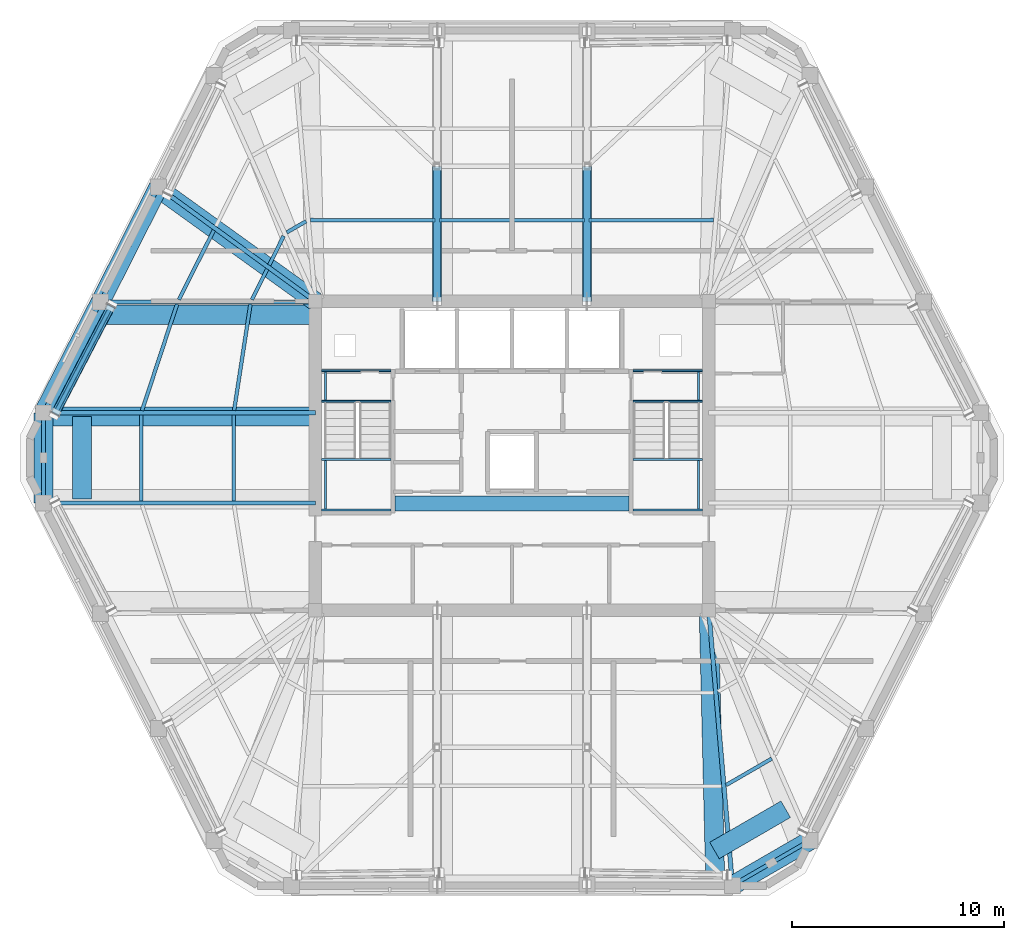
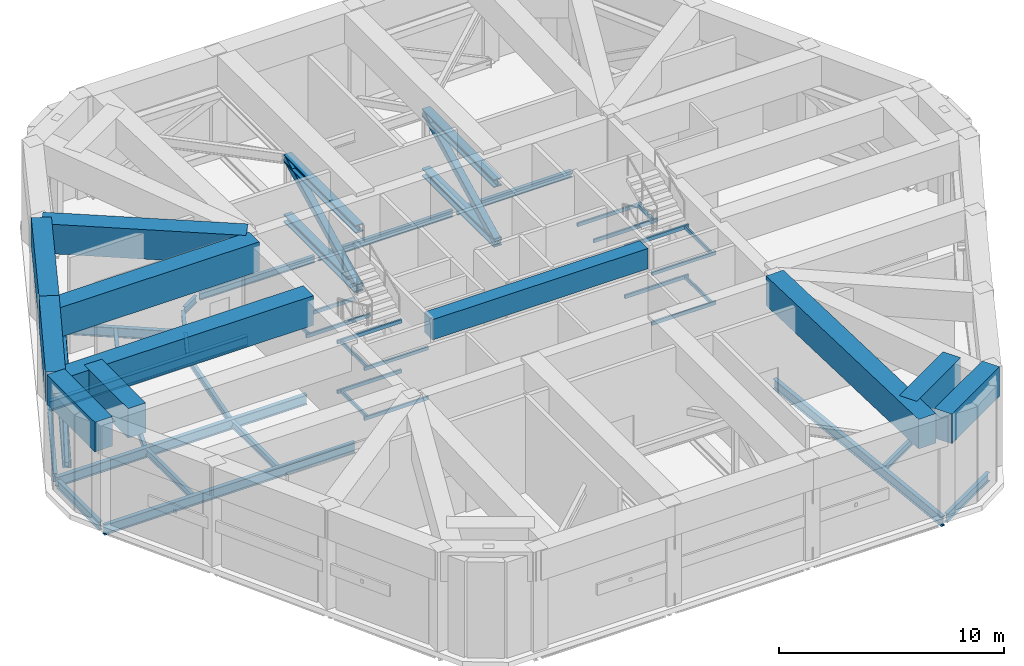
# One storey, part 3 of 15: 50 beams, 9 members.
"""IFC4 building model written with IfcOpenShell, lengths in metres."""

import ifcopenshell
import ifcopenshell.guid

model = None  # the IFC model being written
_history = None  # IfcOwnerHistory: only IFC2X3 demands one
_inside = {}  # id of a spatial element -> (the spatial element, [elements in it])
_under = {}  # id of a project, library or spatial element -> (it, [spatial elements below it])
_declared = {}  # id of a project -> (the project, [libraries it declares])
_typed = {}  # id of a type object -> (the type object, [elements of that type])
_made_of = {}  # id of a material, layer set ... -> (it, [elements and type objects made of it])


def new_model(schema):
    """Start an empty IFC model of exactly this schema.

    Asked for "IFC4X3", IfcOpenShell would pick the latest addendum, in which some entities
    have other attributes; the version numbers below select the first issue.
    IFC2X3 requires an IfcOwnerHistory on every rooted entity: one is made here for all.
    """
    global model, _history
    if schema == "IFC4X3":
        model = ifcopenshell.file(schema_version=(4, 3, 0, 0))
    else:
        model = ifcopenshell.file(schema=schema)
    _inside.clear()
    _under.clear()
    _declared.clear()
    _typed.clear()
    _made_of.clear()
    _history = None
    if model.schema == "IFC2X3":
        org = make("IfcOrganization", Name="unknown")
        user = make(
            "IfcPersonAndOrganization",
            ThePerson=make("IfcPerson", FamilyName="unknown"),
            TheOrganization=org,
        )
        app = make(
            "IfcApplication",
            ApplicationDeveloper=org,
            Version="unknown",
            ApplicationFullName="unknown",
            ApplicationIdentifier="unknown",
        )
        _history = make(
            "IfcOwnerHistory",
            OwningUser=user,
            OwningApplication=app,
            ChangeAction="ADDED",
            CreationDate=0,
        )
    return model


def make(cls, **values):
    """One entity of the class cls with the attributes given. An attribute that is None is left unset."""
    return model.create_entity(
        cls, **{name: value for name, value in values.items() if value is not None}
    )


def rooted(cls, **values):
    """An entity with a GlobalId (a new one), such as an element, a storey or a relation."""
    return make(cls, GlobalId=ifcopenshell.guid.new(), OwnerHistory=_history, **values)


def si_unit(unit_type, name, prefix=None):
    """IfcSIUnit, for example si_unit("LENGTHUNIT", "METRE", prefix="MILLI")."""
    return make("IfcSIUnit", UnitType=unit_type, Prefix=prefix, Name=name)


def assignment(units):
    """IfcUnitAssignment: the units of a project."""
    return None if units is None else make("IfcUnitAssignment", Units=units)


def point(xyz):
    """IfcCartesianPoint."""
    return None if xyz is None else make("IfcCartesianPoint", Coordinates=xyz)


def direction(xyz):
    """IfcDirection."""
    return None if xyz is None else make("IfcDirection", DirectionRatios=xyz)


def frame(location, z_axis=None, x_axis=None):
    """IfcAxis2Placement3D, a coordinate frame: its origin and axes. An axis left out is left unset."""
    return make(
        "IfcAxis2Placement3D",
        Location=point(location),
        Axis=direction(z_axis),
        RefDirection=direction(x_axis),
    )


def frame_2d(location, x_axis=None):
    """IfcAxis2Placement2D, a coordinate frame in the plane: its origin and x axis."""
    return make(
        "IfcAxis2Placement2D", Location=point(location), RefDirection=direction(x_axis)
    )


def origin():
    """The frame at (0, 0, 0) with its axes left unset."""
    return frame((0.0, 0.0, 0.0))


def origin_2d():
    """The frame at (0, 0) in the plane with its x axis left unset."""
    return frame_2d((0.0, 0.0))


def place(relative_to, where):
    """IfcLocalPlacement: puts the frame where relative to a parent placement (None: the world)."""
    return make(
        "IfcLocalPlacement", PlacementRelTo=relative_to, RelativePlacement=where
    )


def context(
    kind, dimensions, precision=None, world=None, true_north=None, identifier=None
):
    """IfcGeometricRepresentationContext, for example the 3D "Model" context."""
    return make(
        "IfcGeometricRepresentationContext",
        ContextIdentifier=identifier,
        ContextType=kind,
        CoordinateSpaceDimension=dimensions,
        Precision=precision,
        WorldCoordinateSystem=world,
        TrueNorth=true_north,
    )


def subcontext(parent, identifier, kind, view, scale=None):
    """IfcGeometricRepresentationSubContext, for example "Body" below "Model"."""
    return make(
        "IfcGeometricRepresentationSubContext",
        ContextIdentifier=identifier,
        ContextType=kind,
        ParentContext=parent,
        TargetScale=scale,
        TargetView=view,
    )


def project(units=None, contexts=None):
    """IfcProject with its units and contexts."""
    return rooted(
        "IfcProject",
        Name="project",
        RepresentationContexts=contexts,
        UnitsInContext=assignment(units),
    )


def spatial(cls, under=None, at=None, **own):
    """A site, building, storey or space (cls), placed at a placement, below another one or the project."""
    s = rooted(cls, ObjectPlacement=at, **own)
    if under is not None:
        _under.setdefault(under.id(), (under, []))[1].append(s)
    return s


def profile(cls, at=None, kind="AREA", **sizes):
    """A parametric profile (cls). Its sizes go by their IFC names, for example OverallWidth=200.0."""
    return make(cls, ProfileType=kind, Position=at, **sizes)


def rectangle(**sizes):
    """IfcRectangleProfileDef."""
    return profile("IfcRectangleProfileDef", **sizes)


def hollow_rectangle(**sizes):
    """IfcRectangleHollowProfileDef."""
    return profile("IfcRectangleHollowProfileDef", **sizes)


def i_section(**sizes):
    """IfcIShapeProfileDef."""
    return profile("IfcIShapeProfileDef", **sizes)


def extrude(swept, where, along, depth):
    """IfcExtrudedAreaSolid: the profile swept, set in the frame where, extruded along a direction by depth."""
    return make(
        "IfcExtrudedAreaSolid",
        SweptArea=swept,
        Position=where,
        ExtrudedDirection=direction(along),
        Depth=depth,
    )


def shape(context_of_items, identifier, shape_type, items):
    """IfcShapeRepresentation: the items that make up one representation, for example the "Body"."""
    return make(
        "IfcShapeRepresentation",
        ContextOfItems=context_of_items,
        RepresentationIdentifier=identifier,
        RepresentationType=shape_type,
        Items=items,
    )


def material(Name=None, Category=None):
    """IfcMaterial."""
    return make("IfcMaterial", Name=Name, Category=Category)


def material_profile(
    of_material, cross_section, Name=None, Category=None, Priority=None
):
    """IfcMaterialProfile: a cross section and its material."""
    return make(
        "IfcMaterialProfile",
        Name=Name,
        Material=of_material,
        Profile=cross_section,
        Priority=Priority,
        Category=Category,
    )


def profile_set(profiles, Name=None, composite=None):
    """IfcMaterialProfileSet."""
    return make(
        "IfcMaterialProfileSet",
        Name=Name,
        MaterialProfiles=profiles,
        CompositeProfile=composite,
    )


def made_of(thing, what):
    """Note that an element or type object is made of a material, layer set ...; save() writes the relation."""
    if what is not None:
        _made_of.setdefault(what.id(), (what, []))[1].append(thing)
    return thing


def type_object(cls, material=None, **own):
    """A type object (cls), such as IfcWallType, which elements share."""
    return made_of(rooted(cls, **own), material)


def element(
    cls,
    number,
    at=None,
    inside=None,
    cuts=None,
    type_object=None,
    material=None,
    context=None,
    identifier="Body",
    shape_type=None,
    held_by="IfcProductDefinitionShape",
    body=None,
    shapes=None,
    **own,
):
    """One element of the class cls, such as IfcWall. Its Tag is "e" and its number.

    at: its placement. inside: the storey or other place that contains it. cuts: it is an
    opening in that element (IfcRelVoidsElement). A single representation is given by context,
    identifier, shape_type and body (its items); several are given by shapes. held_by: the class
    of the entity that holds the representations. save() writes the other relations.
    """
    e = rooted(cls, Tag="e%d" % number, ObjectPlacement=at, **own)
    if body is not None:
        shapes = [shape(context, identifier, shape_type, body)]
    if shapes is not None:
        e.Representation = make(held_by, Representations=shapes)
    if inside is not None:
        _inside.setdefault(inside.id(), (inside, []))[1].append(e)
    if cuts is not None:
        rooted(
            "IfcRelVoidsElement", RelatingBuildingElement=cuts, RelatedOpeningElement=e
        )
    if type_object is not None:
        _typed.setdefault(type_object.id(), (type_object, []))[1].append(e)
    return made_of(e, material)


def aggregate(whole, parts):
    """IfcRelAggregates: a whole, such as a stair, and the parts it consists of."""
    return rooted("IfcRelAggregates", RelatingObject=whole, RelatedObjects=parts)


def save(model, path):
    """Write the relations noted so far, then the file.

    IfcRelAggregates (storeys below a building ...), IfcRelContainedInSpatialStructure (elements
    in a storey), IfcRelDefinesByType, IfcRelAssociatesMaterial and IfcRelDeclares: one each for
    every whole, place, type object, material and project.
    """
    for whole, parts in _under.values():
        aggregate(whole, parts)
    for where, things in _inside.values():
        rooted(
            "IfcRelContainedInSpatialStructure",
            RelatedElements=things,
            RelatingStructure=where,
        )
    for kind, things in _typed.values():
        rooted("IfcRelDefinesByType", RelatedObjects=things, RelatingType=kind)
    for what, things in _made_of.values():
        rooted("IfcRelAssociatesMaterial", RelatedObjects=things, RelatingMaterial=what)
    for by, libraries in _declared.values():
        rooted("IfcRelDeclares", RelatingContext=by, RelatedDefinitions=libraries)
    model.write(path)


model = new_model("IFC4")

# Units and contexts
model_context = context("Model", 3, precision=1e-05, world=origin(), true_north=direction((0.0, 1.0)))
body_context = subcontext(model_context, "Body", "Model", "MODEL_VIEW")
ifc_project = project(units=[si_unit("LENGTHUNIT", "METRE"), si_unit("AREAUNIT", "SQUARE_METRE"), si_unit("VOLUMEUNIT", "CUBIC_METRE"), si_unit("PLANEANGLEUNIT", "RADIAN"), si_unit("MASSUNIT", "GRAM", prefix="KILO")], contexts=[model_context])

# Site, building, storey
site_placement = place(None, origin())
site = spatial("IfcSite", under=ifc_project, at=site_placement, CompositionType="ELEMENT")
building_placement = place(site_placement, origin())
building = spatial("IfcBuilding", under=site, at=building_placement, Name="Cinnabar Lancet Tower", CompositionType="ELEMENT")
storey_placement = place(building_placement, frame((0.0, 0.0, 221.60009765625)))
storey = spatial("IfcBuildingStorey", under=building, at=storey_placement, Name="L59", CompositionType="ELEMENT", Elevation=221.60009765625)

# Beams
ifc_material_1 = material(Name="Concrete C70/85", Category="concrete")
ifc_material_profile_1 = material_profile(ifc_material_1, rectangle(XDim=0.89990234375, YDim=1.60009765625, at=origin_2d()), Name="RC-BG 900x1600")
ifc_profile_set_1 = profile_set([ifc_material_profile_1], Name="Concrete C70/85")
beam_type_1 = type_object("IfcBeamType", Name="STR-BM-BG-1600", PredefinedType="BEAM", material=ifc_profile_set_1)
beam_1_placement = place(storey_placement, frame((42.821044921875, 5.589111328125, 4.599853515625), z_axis=(0.865241216859, 0.501355798459, 0.0), x_axis=(-0.501355798459, 0.865241216859, 0.0)))
element("IfcBeam", 1, at=beam_1_placement, inside=storey, type_object=beam_type_1, Name="L60 Setback Outer Ring Girder 4", PredefinedType="BEAM", context=body_context, shape_type="SweptSolid", body=[
    extrude(rectangle(XDim=0.89990234375, YDim=1.60009765625, at=origin_2d()), origin(), (0.0, 0.0, 1.0), 4.246337890625),
])
beam_2_placement = place(storey_placement, frame((15.680908203125, 38.59912109375, 4.599853515625), z_axis=(-0.450487156987, -0.892782908321, 0.0), x_axis=(0.892782908321, -0.450487156987, 0.0)))
element("IfcBeam", 2, at=beam_2_placement, inside=storey, type_object=beam_type_1, Name="L60 Setback Outer Ring Girder 18", PredefinedType="BEAM", context=body_context, shape_type="SweptSolid", body=[
    extrude(rectangle(XDim=0.89990234375, YDim=1.60009765625, at=origin_2d()), origin(), (0.0, 0.0, 1.0), 6.080078125),
])
beam_3_placement = place(storey_placement, frame((12.94189453125, 33.1708984375, 4.599853515625), z_axis=(-0.456624678351, -0.889659430974, 0.0), x_axis=(0.889659430974, -0.456624678351, 0.0)))
element("IfcBeam", 3, at=beam_3_placement, inside=storey, type_object=beam_type_1, Name="L60 Setback Outer Ring Girder 19", PredefinedType="BEAM", context=body_context, shape_type="SweptSolid", body=[
    extrude(rectangle(XDim=0.89990234375, YDim=1.60009765625, at=origin_2d()), origin(), (0.0, 0.0, 1.0), 5.888671875),
])
beam_4_placement = place(storey_placement, frame((10.2529296875, 27.931884765625, 4.599853515625), z_axis=(0.0, -1.0, 0.0), x_axis=(1.0, 0.0, 0.0)))
element("IfcBeam", 4, at=beam_4_placement, inside=storey, type_object=beam_type_1, Name="L60 Setback Outer Ring Girder 20", PredefinedType="BEAM", context=body_context, shape_type="SweptSolid", body=[
    extrude(rectangle(XDim=0.89990234375, YDim=1.60009765625, at=origin_2d()), origin(), (0.0, 0.0, 1.0), 4.263916015625),
])
beam_5_placement = place(storey_placement, frame((42.010986328125, 5.595947265625, 4.599853515625), z_axis=(-0.023911306539, 0.999714083836, 0.0), x_axis=(-0.999714083836, -0.023911306539, 0.0)))
element("IfcBeam", 5, at=beam_5_placement, inside=storey, type_object=beam_type_1, Name="L60 Setback Continuous Radial Transfer Girder 4", PredefinedType="BEAM", context=body_context, shape_type="SweptSolid", body=[
    extrude(rectangle(XDim=0.89990234375, YDim=1.60009765625, at=origin_2d()), origin(), (0.0, 0.0, 1.0), 13.0078125),
])
beam_6_placement = place(storey_placement, frame((15.676025390625, 38.54296875, 4.599853515625), z_axis=(0.811654308414, -0.584138068981, 0.0), x_axis=(0.584138068981, 0.811654308414, 0.0)))
element("IfcBeam", 6, at=beam_6_placement, inside=storey, type_object=beam_type_1, Name="L60 Setback Continuous Radial Transfer Girder 18", PredefinedType="BEAM", context=body_context, shape_type="SweptSolid", body=[
    extrude(rectangle(XDim=0.89990234375, YDim=1.60009765625, at=origin_2d()), origin(), (0.0, 0.0, 1.0), 9.146728515625),
])
beam_7_placement = place(storey_placement, frame((12.841064453125, 32.56689453125, 4.599853515625), z_axis=(1.0, 0.0, 0.0), x_axis=(0.0, 1.0, 0.0)))
element("IfcBeam", 7, at=beam_7_placement, inside=storey, type_object=beam_type_1, Name="L60 Setback Continuous Radial Transfer Girder 19", PredefinedType="BEAM", context=body_context, shape_type="SweptSolid", body=[
    extrude(rectangle(XDim=0.89990234375, YDim=1.60009765625, at=origin_2d()), origin(), (0.0, 0.0, 1.0), 10.259033203125),
])
beam_8_placement = place(storey_placement, frame((10.3720703125, 27.7548828125, 4.599853515625), z_axis=(1.0, 0.0, 0.0), x_axis=(0.0, 1.0, 0.0)))
element("IfcBeam", 8, at=beam_8_placement, inside=storey, type_object=beam_type_1, Name="L60 Setback Continuous Radial Transfer Girder 20", PredefinedType="BEAM", context=body_context, shape_type="SweptSolid", body=[
    extrude(rectangle(XDim=0.89990234375, YDim=1.60009765625, at=origin_2d()), origin(), (0.0, 0.0, 1.0), 12.72802734375),
])
beam_9_placement = place(storey_placement, frame((41.971923828125, 7.239013671875, 4.599853515625), z_axis=(0.865275997941, 0.501295768372, 0.0), x_axis=(-0.501295768372, 0.865275997941, 0.0)))
element("IfcBeam", 9, at=beam_9_placement, inside=storey, type_object=beam_type_1, Name="L60 Setback Pilaster Transfer Chord 2", PredefinedType="BEAM", context=body_context, shape_type="SweptSolid", body=[
    extrude(rectangle(XDim=0.89990234375, YDim=1.60009765625, at=origin_2d()), origin(), (0.0, 0.0, 1.0), 3.893798828125),
])
beam_10_placement = place(storey_placement, frame((12.06298828125, 27.7548828125, 4.599853515625), z_axis=(0.0, -1.0, 0.0), x_axis=(1.0, 0.0, 0.0)))
element("IfcBeam", 10, at=beam_10_placement, inside=storey, type_object=beam_type_1, Name="L60 Setback Pilaster Transfer Chord 6", PredefinedType="BEAM", context=body_context, shape_type="SweptSolid", body=[
    extrude(rectangle(XDim=0.89990234375, YDim=1.60009765625, at=origin_2d()), origin(), (0.0, 0.0, 1.0), 3.909912109375),
])
ifc_material_2 = material(Name="Concrete C70/85", Category="concrete")
ifc_material_profile_2 = material_profile(ifc_material_2, rectangle(XDim=0.699951171875, YDim=1.10009765625, at=origin_2d()), Name="RC-CB 700x1100")
ifc_profile_set_2 = profile_set([ifc_material_profile_2], Name="Concrete C70/85")
beam_type_2 = type_object("IfcBeamType", Name="STR-BM-CB-1100", PredefinedType="BEAM", material=ifc_profile_set_2)
beam_11_placement = place(storey_placement, frame((26.8798828125, 23.64990234375, 4.64990234375), z_axis=(1.0, 0.0, 0.0), x_axis=(0.0, 1.0, 0.0)))
element("IfcBeam", 11, at=beam_11_placement, inside=storey, type_object=beam_type_2, Name="L59 Core Coupling Beam", PredefinedType="BEAM", context=body_context, shape_type="SweptSolid", body=[
    extrude(rectangle(XDim=0.699951171875, YDim=1.10009765625, at=origin_2d()), origin(), (0.0, 0.0, 1.0), 11.0400390625),
])
ifc_material_3 = material(Name="Structural steel S355", Category="steel")
ifc_material_profile_3 = material_profile(ifc_material_3, i_section(OverallWidth=0.17138671875, OverallDepth=0.35498046875, WebThickness=0.00732421875, FlangeThickness=0.011474609375, FilletRadius=0.01025390625, at=origin_2d()), Name="UKB 356x171x51")
ifc_profile_set_3 = profile_set([ifc_material_profile_3], Name="Structural steel S355")
beam_type_3 = type_object("IfcBeamType", Name="STR-BM-JST-356", PredefinedType="JOIST", material=ifc_profile_set_3)
beam_12_placement = place(storey_placement, frame((42.51708984375, 10.3310546875, -0.4580078125), z_axis=(0.865267839663, 0.501309849937, 0.0), x_axis=(-0.501309849937, 0.865267839663, 0.0)))
element("IfcBeam", 12, at=beam_12_placement, inside=storey, type_object=beam_type_3, Name="L59 Secondary Floor Joist 15", PredefinedType="JOIST", context=body_context, shape_type="SweptSolid", body=[
    extrude(i_section(OverallWidth=0.17138671875, OverallDepth=0.35498046875, WebThickness=0.00732421875, FlangeThickness=0.011474609375, FilletRadius=0.01025390625, at=origin_2d()), origin(), (0.0, 0.0, 1.0), 2.497314453125),
])
beam_13_placement = place(storey_placement, frame((41.930908203125, 37.04296875, -0.4580078125), z_axis=(-0.999996795667, -0.002531532393, 0.0), x_axis=(0.002531532393, -0.999996795667, 0.0)))
element("IfcBeam", 13, at=beam_13_placement, inside=storey, type_object=beam_type_3, Name="L59 Secondary Floor Joist 34", PredefinedType="JOIST", context=body_context, shape_type="SweptSolid", body=[
    extrude(i_section(OverallWidth=0.17138671875, OverallDepth=0.35498046875, WebThickness=0.00732421875, FlangeThickness=0.011474609375, FilletRadius=0.01025390625, at=origin_2d()), origin(), (0.0, 0.0, 1.0), 5.8828125),
])
beam_14_placement = place(storey_placement, frame((35.837890625, 37.027099609375, -0.4580078125), z_axis=(-1.0, 0.0, 0.0), x_axis=(0.0, -1.0, 0.0)))
element("IfcBeam", 14, at=beam_14_placement, inside=storey, type_object=beam_type_3, Name="L59 Secondary Floor Joist 36", PredefinedType="JOIST", context=body_context, shape_type="SweptSolid", body=[
    extrude(i_section(OverallWidth=0.17138671875, OverallDepth=0.35498046875, WebThickness=0.00732421875, FlangeThickness=0.011474609375, FilletRadius=0.01025390625, at=origin_2d()), origin(), (0.0, 0.0, 1.0), 6.8759765625),
])
beam_15_placement = place(storey_placement, frame((28.751953125, 37.028076171875, -0.4580078125), z_axis=(-0.999996795933, 0.002531427338, 0.0), x_axis=(-0.002531427338, -0.999996795933, 0.0)))
element("IfcBeam", 15, at=beam_15_placement, inside=storey, type_object=beam_type_3, Name="L59 Secondary Floor Joist 38", PredefinedType="JOIST", context=body_context, shape_type="SweptSolid", body=[
    extrude(i_section(OverallWidth=0.17138671875, OverallDepth=0.35498046875, WebThickness=0.00732421875, FlangeThickness=0.011474609375, FilletRadius=0.01025390625, at=origin_2d()), origin(), (0.0, 0.0, 1.0), 5.883056640625),
])
beam_16_placement = place(storey_placement, frame((22.6640625, 36.985107421875, -0.4580078125), z_axis=(-0.8651881055, -0.501447446998, 0.0), x_axis=(0.501447446998, -0.8651881055, 0.0)))
element("IfcBeam", 16, at=beam_16_placement, inside=storey, type_object=beam_type_3, Name="L59 Secondary Floor Joist 40", PredefinedType="JOIST", context=body_context, shape_type="SweptSolid", body=[
    extrude(i_section(OverallWidth=0.17138671875, OverallDepth=0.35498046875, WebThickness=0.00732421875, FlangeThickness=0.011474609375, FilletRadius=0.01025390625, at=origin_2d()), origin(), (0.0, 0.0, 1.0), 1.05322265625),
])
beam_17_placement = place(storey_placement, frame((21.60107421875, 36.282958984375, -0.4580078125), z_axis=(-0.444589856968, -0.895734256954, 0.0), x_axis=(0.895734256954, -0.444589856968, 0.0)))
element("IfcBeam", 17, at=beam_17_placement, inside=storey, type_object=beam_type_3, Name="L59 Secondary Floor Joist 42", PredefinedType="JOIST", context=body_context, shape_type="SweptSolid", body=[
    extrude(i_section(OverallWidth=0.17138671875, OverallDepth=0.35498046875, WebThickness=0.00732421875, FlangeThickness=0.011474609375, FilletRadius=0.01025390625, at=origin_2d()), origin(), (0.0, 0.0, 1.0), 1.527099609375),
])
beam_18_placement = place(storey_placement, frame((18.303955078125, 36.56103515625, -0.4580078125), z_axis=(-0.449230875134, -0.893415704376, 0.0), x_axis=(0.893415704376, -0.449230875134, 0.0)))
element("IfcBeam", 18, at=beam_18_placement, inside=storey, type_object=beam_type_3, Name="L59 Secondary Floor Joist 43", PredefinedType="JOIST", context=body_context, shape_type="SweptSolid", body=[
    extrude(i_section(OverallWidth=0.17138671875, OverallDepth=0.35498046875, WebThickness=0.00732421875, FlangeThickness=0.011474609375, FilletRadius=0.01025390625, at=origin_2d()), origin(), (0.0, 0.0, 1.0), 3.677001953125),
])
beam_19_placement = place(storey_placement, frame((20.826904296875, 34.72509765625, -0.4580078125), z_axis=(-0.44588615098, -0.895089682861, 0.0), x_axis=(0.895089682861, -0.44588615098, 0.0)))
element("IfcBeam", 19, at=beam_19_placement, inside=storey, type_object=beam_type_3, Name="L59 Secondary Floor Joist 44", PredefinedType="JOIST", context=body_context, shape_type="SweptSolid", body=[
    extrude(i_section(OverallWidth=0.17138671875, OverallDepth=0.35498046875, WebThickness=0.00732421875, FlangeThickness=0.011474609375, FilletRadius=0.01025390625, at=origin_2d()), origin(), (0.0, 0.0, 1.0), 1.619140625),
])
beam_20_placement = place(storey_placement, frame((16.56494140625, 33.06591796875, -0.4580078125), z_axis=(-0.312240109925, -0.95000321776, 0.0), x_axis=(0.95000321776, -0.312240109925, 0.0)))
element("IfcBeam", 20, at=beam_20_placement, inside=storey, type_object=beam_type_3, Name="L59 Secondary Floor Joist 45", PredefinedType="JOIST", context=body_context, shape_type="SweptSolid", body=[
    extrude(i_section(OverallWidth=0.17138671875, OverallDepth=0.35498046875, WebThickness=0.00732421875, FlangeThickness=0.011474609375, FilletRadius=0.01025390625, at=origin_2d()), origin(), (0.0, 0.0, 1.0), 5.29345703125),
])
beam_21_placement = place(storey_placement, frame((20.035888671875, 33.06591796875, -0.4580078125), z_axis=(-0.152107663797, -0.988363930248, 0.0), x_axis=(0.988363930248, -0.152107663797, 0.0)))
element("IfcBeam", 21, at=beam_21_placement, inside=storey, type_object=beam_type_3, Name="L59 Secondary Floor Joist 46", PredefinedType="JOIST", context=body_context, shape_type="SweptSolid", body=[
    extrude(i_section(OverallWidth=0.17138671875, OverallDepth=0.35498046875, WebThickness=0.00732421875, FlangeThickness=0.011474609375, FilletRadius=0.01025390625, at=origin_2d()), origin(), (0.0, 0.0, 1.0), 5.088134765625),
])
for number, where, z_axis, x_axis, name in (
    (22, (14.8779296875, 27.826904296875, -0.4580078125), (0.0, -1.0, 0.0), (1.0, 0.0, 0.0), "L59 Secondary Floor Joist 47"),
    (23, (19.24609375, 27.826904296875, -0.4580078125), (0.0, -1.0, 0.0), (1.0, 0.0, 0.0), "L59 Secondary Floor Joist 48"),
):
    element("IfcBeam", number, at=place(storey_placement, frame(where, z_axis=z_axis, x_axis=x_axis)), inside=storey, type_object=beam_type_3, Name=name, PredefinedType="JOIST", context=body_context, shape_type="SweptSolid", body=[
        extrude(i_section(OverallWidth=0.17138671875, OverallDepth=0.35498046875, WebThickness=0.00732421875, FlangeThickness=0.011474609375, FilletRadius=0.01025390625, at=origin_2d()), origin(), (0.0, 0.0, 1.0), 4.053955078125),
    ])
ifc_material_4 = material(Name="Structural steel S355", Category="steel")
ifc_material_profile_4 = material_profile(ifc_material_4, hollow_rectangle(XDim=0.10009765625, YDim=0.199951171875, WallThickness=0.008056640625, InnerFilletRadius=0.00390625, OuterFilletRadius=0.011962890625, at=origin_2d()), Name="RHS 200x100x8")
ifc_profile_set_4 = profile_set([ifc_material_profile_4], Name="Structural steel S355")
beam_type_4 = type_object("IfcBeamType", Name="STR-BM-LND-203", PredefinedType="BEAM", material=ifc_profile_set_4)
for number, where, z_axis, x_axis, name in (
    (24, (23.39990234375, 23.330078125, 1.0498046875), (1.0, 0.0, 0.0), (0.0, 1.0, 0.0), "L59 ST-1-L59 Landing Support Beam S"),
    (25, (23.39990234375, 25.719970703125, 1.0498046875), (1.0, 0.0, 0.0), (0.0, 1.0, 0.0), "L59 ST-1-L59 Landing Support Beam N"),
):
    element("IfcBeam", number, at=place(storey_placement, frame(where, z_axis=z_axis, x_axis=x_axis)), inside=storey, type_object=beam_type_4, Name=name, PredefinedType="BEAM", context=body_context, shape_type="SweptSolid", body=[
        extrude(hollow_rectangle(XDim=0.10009765625, YDim=0.199951171875, WallThickness=0.008056640625, InnerFilletRadius=0.00390625, OuterFilletRadius=0.011962890625, at=origin_2d()), origin(), (0.0, 0.0, 1.0), 3.280029296875),
    ])
beam_22_placement = place(storey_placement, frame((23.580078125, 23.3798828125, 1.0498046875), z_axis=(0.0, 1.0, 0.0), x_axis=(-1.0, 0.0, 0.0)))
element("IfcBeam", 26, at=beam_22_placement, inside=storey, type_object=beam_type_4, Name="L59 ST-1-L59 Landing Side Trimmer Beam", PredefinedType="BEAM", context=body_context, shape_type="SweptSolid", body=[
    extrude(hollow_rectangle(XDim=0.10009765625, YDim=0.199951171875, WallThickness=0.008056640625, InnerFilletRadius=0.00390625, OuterFilletRadius=0.011962890625, at=origin_2d()), origin(), (0.0, 0.0, 1.0), 2.2900390625),
])
for number, where, z_axis, x_axis, name in (
    (27, (23.39990234375, 28.47998046875, 2.39990234375), (1.0, 0.0, 0.0), (0.0, 1.0, 0.0), "L59 ST-1-L59 Landing Support Beam S"),
    (28, (23.39990234375, 29.919921875, 2.39990234375), (1.0, 0.0, 0.0), (0.0, 1.0, 0.0), "L59 ST-1-L59 Landing Support Beam N"),
):
    element("IfcBeam", number, at=place(storey_placement, frame(where, z_axis=z_axis, x_axis=x_axis)), inside=storey, type_object=beam_type_4, Name=name, PredefinedType="BEAM", context=body_context, shape_type="SweptSolid", body=[
        extrude(hollow_rectangle(XDim=0.10009765625, YDim=0.199951171875, WallThickness=0.008056640625, InnerFilletRadius=0.00390625, OuterFilletRadius=0.011962890625, at=origin_2d()), origin(), (0.0, 0.0, 1.0), 3.280029296875),
    ])
beam_23_placement = place(storey_placement, frame((23.580078125, 28.530029296875, 2.39990234375), z_axis=(0.0, 1.0, 0.0), x_axis=(-1.0, 0.0, 0.0)))
element("IfcBeam", 29, at=beam_23_placement, inside=storey, type_object=beam_type_4, Name="L59 ST-1-L59 Landing Side Trimmer Beam", PredefinedType="BEAM", context=body_context, shape_type="SweptSolid", body=[
    extrude(hollow_rectangle(XDim=0.10009765625, YDim=0.199951171875, WallThickness=0.008056640625, InnerFilletRadius=0.00390625, OuterFilletRadius=0.011962890625, at=origin_2d()), origin(), (0.0, 0.0, 1.0), 1.340087890625),
])
for number, where, z_axis, x_axis, name in (
    (30, (23.39990234375, 23.330078125, 3.75), (1.0, 0.0, 0.0), (0.0, 1.0, 0.0), "L59 ST-1-L59 Landing Support Beam S"),
    (31, (23.39990234375, 25.719970703125, 3.75), (1.0, 0.0, 0.0), (0.0, 1.0, 0.0), "L59 ST-1-L59 Landing Support Beam N"),
):
    element("IfcBeam", number, at=place(storey_placement, frame(where, z_axis=z_axis, x_axis=x_axis)), inside=storey, type_object=beam_type_4, Name=name, PredefinedType="BEAM", context=body_context, shape_type="SweptSolid", body=[
        extrude(hollow_rectangle(XDim=0.10009765625, YDim=0.199951171875, WallThickness=0.008056640625, InnerFilletRadius=0.00390625, OuterFilletRadius=0.011962890625, at=origin_2d()), origin(), (0.0, 0.0, 1.0), 3.280029296875),
    ])
beam_24_placement = place(storey_placement, frame((23.580078125, 23.3798828125, 3.75), z_axis=(0.0, 1.0, 0.0), x_axis=(-1.0, 0.0, 0.0)))
element("IfcBeam", 32, at=beam_24_placement, inside=storey, type_object=beam_type_4, Name="L59 ST-1-L59 Landing Side Trimmer Beam", PredefinedType="BEAM", context=body_context, shape_type="SweptSolid", body=[
    extrude(hollow_rectangle(XDim=0.10009765625, YDim=0.199951171875, WallThickness=0.008056640625, InnerFilletRadius=0.00390625, OuterFilletRadius=0.011962890625, at=origin_2d()), origin(), (0.0, 0.0, 1.0), 2.2900390625),
])
for number, where, z_axis, x_axis, name in (
    (33, (38.1201171875, 23.330078125, 1.0498046875), (1.0, 0.0, 0.0), (0.0, 1.0, 0.0), "L59 ST-2-L59 Landing Support Beam S"),
    (34, (38.1201171875, 25.719970703125, 1.0498046875), (1.0, 0.0, 0.0), (0.0, 1.0, 0.0), "L59 ST-2-L59 Landing Support Beam N"),
):
    element("IfcBeam", number, at=place(storey_placement, frame(where, z_axis=z_axis, x_axis=x_axis)), inside=storey, type_object=beam_type_4, Name=name, PredefinedType="BEAM", context=body_context, shape_type="SweptSolid", body=[
        extrude(hollow_rectangle(XDim=0.10009765625, YDim=0.199951171875, WallThickness=0.008056640625, InnerFilletRadius=0.00390625, OuterFilletRadius=0.011962890625, at=origin_2d()), origin(), (0.0, 0.0, 1.0), 3.27978515625),
    ])
beam_25_placement = place(storey_placement, frame((41.219970703125, 23.3798828125, 1.0498046875), z_axis=(0.0, 1.0, 0.0), x_axis=(-1.0, 0.0, 0.0)))
element("IfcBeam", 35, at=beam_25_placement, inside=storey, type_object=beam_type_4, Name="L59 ST-2-L59 Landing Side Trimmer Beam", PredefinedType="BEAM", context=body_context, shape_type="SweptSolid", body=[
    extrude(hollow_rectangle(XDim=0.10009765625, YDim=0.199951171875, WallThickness=0.008056640625, InnerFilletRadius=0.00390625, OuterFilletRadius=0.011962890625, at=origin_2d()), origin(), (0.0, 0.0, 1.0), 2.2900390625),
])
for number, where, z_axis, x_axis, name in (
    (36, (38.1201171875, 28.47998046875, 2.39990234375), (1.0, 0.0, 0.0), (0.0, 1.0, 0.0), "L59 ST-2-L59 Landing Support Beam S"),
    (37, (38.1201171875, 29.919921875, 2.39990234375), (1.0, 0.0, 0.0), (0.0, 1.0, 0.0), "L59 ST-2-L59 Landing Support Beam N"),
):
    element("IfcBeam", number, at=place(storey_placement, frame(where, z_axis=z_axis, x_axis=x_axis)), inside=storey, type_object=beam_type_4, Name=name, PredefinedType="BEAM", context=body_context, shape_type="SweptSolid", body=[
        extrude(hollow_rectangle(XDim=0.10009765625, YDim=0.199951171875, WallThickness=0.008056640625, InnerFilletRadius=0.00390625, OuterFilletRadius=0.011962890625, at=origin_2d()), origin(), (0.0, 0.0, 1.0), 3.27978515625),
    ])
beam_26_placement = place(storey_placement, frame((41.219970703125, 28.530029296875, 2.39990234375), z_axis=(0.0, 1.0, 0.0), x_axis=(-1.0, 0.0, 0.0)))
element("IfcBeam", 38, at=beam_26_placement, inside=storey, type_object=beam_type_4, Name="L59 ST-2-L59 Landing Side Trimmer Beam", PredefinedType="BEAM", context=body_context, shape_type="SweptSolid", body=[
    extrude(hollow_rectangle(XDim=0.10009765625, YDim=0.199951171875, WallThickness=0.008056640625, InnerFilletRadius=0.00390625, OuterFilletRadius=0.011962890625, at=origin_2d()), origin(), (0.0, 0.0, 1.0), 1.340087890625),
])
for number, where, z_axis, x_axis, name in (
    (39, (38.1201171875, 23.330078125, 3.75), (1.0, 0.0, 0.0), (0.0, 1.0, 0.0), "L59 ST-2-L59 Landing Support Beam S"),
    (40, (38.1201171875, 25.719970703125, 3.75), (1.0, 0.0, 0.0), (0.0, 1.0, 0.0), "L59 ST-2-L59 Landing Support Beam N"),
):
    element("IfcBeam", number, at=place(storey_placement, frame(where, z_axis=z_axis, x_axis=x_axis)), inside=storey, type_object=beam_type_4, Name=name, PredefinedType="BEAM", context=body_context, shape_type="SweptSolid", body=[
        extrude(hollow_rectangle(XDim=0.10009765625, YDim=0.199951171875, WallThickness=0.008056640625, InnerFilletRadius=0.00390625, OuterFilletRadius=0.011962890625, at=origin_2d()), origin(), (0.0, 0.0, 1.0), 3.27978515625),
    ])
beam_27_placement = place(storey_placement, frame((41.219970703125, 23.3798828125, 3.75), z_axis=(0.0, 1.0, 0.0), x_axis=(-1.0, 0.0, 0.0)))
element("IfcBeam", 41, at=beam_27_placement, inside=storey, type_object=beam_type_4, Name="L59 ST-2-L59 Landing Side Trimmer Beam", PredefinedType="BEAM", context=body_context, shape_type="SweptSolid", body=[
    extrude(hollow_rectangle(XDim=0.10009765625, YDim=0.199951171875, WallThickness=0.008056640625, InnerFilletRadius=0.00390625, OuterFilletRadius=0.011962890625, at=origin_2d()), origin(), (0.0, 0.0, 1.0), 2.2900390625),
])
ifc_material_5 = material(Name="Structural steel S355", Category="steel")
ifc_material_profile_5 = material_profile(ifc_material_5, i_section(OverallWidth=0.1904296875, OverallDepth=0.45703125, WebThickness=0.009033203125, FlangeThickness=0.014404296875, FilletRadius=0.01025390625, at=origin_2d()), Name="UKB 457x191x74")
ifc_profile_set_5 = profile_set([ifc_material_profile_5], Name="Structural steel S355")
beam_type_5 = type_object("IfcBeamType", Name="STR-BM-SPN-457", PredefinedType="SPANDREL", material=ifc_profile_set_5)
beam_28_placement = place(storey_placement, frame((43.037109375, 5.714111328125, -0.509033203125), z_axis=(0.865195717586, 0.501434313016, 0.0), x_axis=(-0.501434313016, 0.865195717586, 0.0)))
element("IfcBeam", 42, at=beam_28_placement, inside=storey, type_object=beam_type_5, Name="L59 Perimeter Spandrel 4", PredefinedType="SPANDREL", context=body_context, shape_type="SweptSolid", body=[
    extrude(i_section(OverallWidth=0.1904296875, OverallDepth=0.45703125, WebThickness=0.009033203125, FlangeThickness=0.014404296875, FilletRadius=0.01025390625, at=origin_2d()), origin(), (0.0, 0.0, 1.0), 3.7470703125),
])
beam_29_placement = place(storey_placement, frame((15.568115234375, 38.3759765625, -0.509033203125), z_axis=(-0.450395996562, -0.892828900899, 0.0), x_axis=(0.892828900899, -0.450395996562, 0.0)))
element("IfcBeam", 43, at=beam_29_placement, inside=storey, type_object=beam_type_5, Name="L59 Perimeter Spandrel 18", PredefinedType="SPANDREL", context=body_context, shape_type="SweptSolid", body=[
    extrude(i_section(OverallWidth=0.1904296875, OverallDepth=0.45703125, WebThickness=0.009033203125, FlangeThickness=0.014404296875, FilletRadius=0.01025390625, at=origin_2d()), origin(), (0.0, 0.0, 1.0), 5.579833984375),
])
beam_30_placement = place(storey_placement, frame((12.827880859375, 32.948974609375, -0.509033203125), z_axis=(-0.456610910924, -0.889666497079, 0.0), x_axis=(0.889666497079, -0.456610910924, 0.0)))
element("IfcBeam", 44, at=beam_30_placement, inside=storey, type_object=beam_type_5, Name="L59 Perimeter Spandrel 19", PredefinedType="SPANDREL", context=body_context, shape_type="SweptSolid", body=[
    extrude(i_section(OverallWidth=0.1904296875, OverallDepth=0.45703125, WebThickness=0.009033203125, FlangeThickness=0.014404296875, FilletRadius=0.01025390625, at=origin_2d()), origin(), (0.0, 0.0, 1.0), 5.3896484375),
])
beam_31_placement = place(storey_placement, frame((10.2529296875, 27.681884765625, -0.509033203125), z_axis=(0.0, -1.0, 0.0), x_axis=(1.0, 0.0, 0.0)))
element("IfcBeam", 45, at=beam_31_placement, inside=storey, type_object=beam_type_5, Name="L59 Perimeter Spandrel 20", PredefinedType="SPANDREL", context=body_context, shape_type="SweptSolid", body=[
    extrude(i_section(OverallWidth=0.1904296875, OverallDepth=0.45703125, WebThickness=0.009033203125, FlangeThickness=0.014404296875, FilletRadius=0.01025390625, at=origin_2d()), origin(), (0.0, 0.0, 1.0), 3.763916015625),
])
ifc_material_6 = material(Name="Structural steel S355", Category="steel")
ifc_material_profile_6 = material_profile(ifc_material_6, i_section(OverallWidth=0.209228515625, OverallDepth=0.533203125, WebThickness=0.010009765625, FlangeThickness=0.015625, FilletRadius=0.0126953125, at=origin_2d()), Name="UKB 533x210x92")
ifc_profile_set_6 = profile_set([ifc_material_profile_6], Name="Structural steel S355")
beam_type_6 = type_object("IfcBeamType", Name="STR-BM-UKB533-92", PredefinedType="BEAM", material=ifc_profile_set_6)
beam_32_placement = place(storey_placement, frame((15.680908203125, 38.59912109375, -0.547119140625), z_axis=(0.80856001044, -0.588413723087, 0.0), x_axis=(0.588413723087, 0.80856001044, 0.0)))
element("IfcBeam", 46, at=beam_32_placement, inside=storey, type_object=beam_type_6, Name="L59 Corner Collector Girder 4", PredefinedType="BEAM", context=body_context, shape_type="SweptSolid", body=[
    extrude(i_section(OverallWidth=0.209228515625, OverallDepth=0.533203125, WebThickness=0.010009765625, FlangeThickness=0.015625, FilletRadius=0.0126953125, at=origin_2d()), origin(), (0.0, 0.0, 1.0), 9.17578125),
])
beam_33_placement = place(storey_placement, frame((42.821044921875, 5.589111328125, -0.547119140625), z_axis=(-0.085847068729, 0.996308326167, 0.0), x_axis=(-0.996308326167, -0.085847068729, 0.0)))
element("IfcBeam", 47, at=beam_33_placement, inside=storey, type_object=beam_type_6, Name="L59 Primary Floor Girder 4", PredefinedType="BEAM", context=body_context, shape_type="SweptSolid", body=[
    extrude(i_section(OverallWidth=0.209228515625, OverallDepth=0.533203125, WebThickness=0.010009765625, FlangeThickness=0.015625, FilletRadius=0.0126953125, at=origin_2d()), origin(), (0.0, 0.0, 1.0), 13.05908203125),
])
beam_34_placement = place(storey_placement, frame((12.94189453125, 33.1708984375, -0.547119140625), z_axis=(1.0, 0.0, 0.0), x_axis=(0.0, 1.0, 0.0)))
element("IfcBeam", 48, at=beam_34_placement, inside=storey, type_object=beam_type_6, Name="L59 Primary Floor Girder 19", PredefinedType="BEAM", context=body_context, shape_type="SweptSolid", body=[
    extrude(i_section(OverallWidth=0.209228515625, OverallDepth=0.533203125, WebThickness=0.010009765625, FlangeThickness=0.015625, FilletRadius=0.0126953125, at=origin_2d()), origin(), (0.0, 0.0, 1.0), 10.158203125),
])
for number, where, z_axis, x_axis, name in (
    (49, (10.2529296875, 27.931884765625, -0.547119140625), (1.0, 0.0, 0.0), (0.0, 1.0, 0.0), "L59 Primary Floor Girder 20"),
    (50, (10.2529296875, 23.66796875, -0.547119140625), (1.0, 0.0, 0.0), (0.0, 1.0, 0.0), "L59 Primary Floor Girder 21"),
):
    element("IfcBeam", number, at=place(storey_placement, frame(where, z_axis=z_axis, x_axis=x_axis)), inside=storey, type_object=beam_type_6, Name=name, PredefinedType="BEAM", context=body_context, shape_type="SweptSolid", body=[
        extrude(i_section(OverallWidth=0.209228515625, OverallDepth=0.533203125, WebThickness=0.010009765625, FlangeThickness=0.015625, FilletRadius=0.0126953125, at=origin_2d()), origin(), (0.0, 0.0, 1.0), 12.84716796875),
    ])

# Members
ifc_material_7 = material(Name="Structural steel S460", Category="steel")
ifc_material_profile_7 = material_profile(ifc_material_7, hollow_rectangle(XDim=0.199951171875, YDim=0.39990234375, WallThickness=0.01611328125, InnerFilletRadius=0.008056640625, OuterFilletRadius=0.02392578125, at=origin_2d()), Name="RHS 400x200x16")
ifc_profile_set_7 = profile_set([ifc_material_profile_7], Name="Structural steel S460")
member_type_1 = type_object("IfcMemberType", Name="STR-MEM-BT-BRC400", PredefinedType="BRACE", material=ifc_profile_set_7)
member_placement = place(storey_placement, frame((13.4560546875, 32.97607421875, 3.449951171875), z_axis=(-0.402849556149, -0.773112697241, -0.489907126377), x_axis=(0.886826330582, -0.462102866673, 0.0)))
element("IfcMember", 51, at=member_placement, inside=storey, type_object=member_type_1, Name="L59 Belt Truss Face 5 Diagonal", PredefinedType="BRACE", context=body_context, shape_type="SweptSolid", body=[
    extrude(hollow_rectangle(XDim=0.199951171875, YDim=0.39990234375, WallThickness=0.01611328125, InnerFilletRadius=0.008056640625, OuterFilletRadius=0.02392578125, at=origin_2d()), origin(), (0.0, 0.0, 1.0), 6.593017578125),
])
ifc_material_8 = material(Name="Structural steel S460", Category="steel")
ifc_material_profile_8 = material_profile(ifc_material_8, hollow_rectangle(XDim=0.39990234375, YDim=0.39990234375, WallThickness=0.02001953125, InnerFilletRadius=0.010009765625, OuterFilletRadius=0.030029296875, at=origin_2d()), Name="SHS 400x400x20")
ifc_profile_set_8 = profile_set([ifc_material_profile_8], Name="Structural steel S460")
member_type_2 = type_object("IfcMemberType", Name="STR-MEM-BT-CHD400", PredefinedType="CHORD", material=ifc_profile_set_8)
for number, where, z_axis, x_axis, name in (
    (52, (13.4560546875, 32.97607421875, 0.219970703125), (-0.462102866673, -0.886826330582, 0.0), (0.886826330582, -0.462102866673, 0.0), "L59 Belt Truss Face 5 Chord BC"),
    (53, (13.4560546875, 32.97607421875, 3.449951171875), (-0.462102866673, -0.886826330582, 0.0), (0.886826330582, -0.462102866673, 0.0), "L59 Belt Truss Face 5 Chord TC"),
):
    element("IfcMember", number, at=place(storey_placement, frame(where, z_axis=z_axis, x_axis=x_axis)), inside=storey, type_object=member_type_2, Name=name, PredefinedType="CHORD", context=body_context, shape_type="SweptSolid", body=[
        extrude(hollow_rectangle(XDim=0.39990234375, YDim=0.39990234375, WallThickness=0.02001953125, InnerFilletRadius=0.010009765625, OuterFilletRadius=0.030029296875, at=origin_2d()), origin(), (0.0, 0.0, 1.0), 5.74755859375),
    ])
ifc_material_9 = material(Name="Structural steel S460", Category="steel")
ifc_material_profile_9 = material_profile(ifc_material_9, hollow_rectangle(XDim=0.35009765625, YDim=0.35009765625, WallThickness=0.01611328125, InnerFilletRadius=0.008056640625, OuterFilletRadius=0.02392578125, at=origin_2d()), Name="SHS 350x350x16")
ifc_profile_set_9 = profile_set([ifc_material_profile_9], Name="Structural steel S460")
member_type_3 = type_object("IfcMemberType", Name="STR-MEM-OT-BRC350", PredefinedType="BRACE", material=ifc_profile_set_9)
for number, where, z_axis, x_axis, name in (
    (54, (35.943115234375, 33.199951171875, 0.219970703125), (0.0, 0.892155416317, 0.451728583485), (-1.0, 0.0, 0.0), "L59 Outrigger Truss 3 Diagonal 1"),
    (55, (28.85693359375, 33.199951171875, 0.219970703125), (0.0, 0.892155416317, 0.451728583485), (-1.0, 0.0, 0.0), "L59 Outrigger Truss 4 Diagonal 1"),
):
    element("IfcMember", number, at=place(storey_placement, frame(where, z_axis=z_axis, x_axis=x_axis)), inside=storey, type_object=member_type_3, Name=name, PredefinedType="BRACE", context=body_context, shape_type="SweptSolid", body=[
        extrude(hollow_rectangle(XDim=0.35009765625, YDim=0.35009765625, WallThickness=0.01611328125, InnerFilletRadius=0.008056640625, OuterFilletRadius=0.02392578125, at=origin_2d()), origin(), (0.0, 0.0, 1.0), 7.150146484375),
    ])
ifc_material_10 = material(Name="Structural steel S460", Category="steel")
ifc_material_profile_10 = material_profile(ifc_material_10, i_section(OverallWidth=0.412109375, OverallDepth=0.43505859375, WebThickness=0.035888671875, FlangeThickness=0.05810546875, FilletRadius=0.014892578125, at=origin_2d()), Name="HD 400x463")
ifc_profile_set_10 = profile_set([ifc_material_profile_10], Name="Structural steel S460")
member_type_4 = type_object("IfcMemberType", Name="STR-MEM-OT-CHD463", PredefinedType="CHORD", material=ifc_profile_set_10)
for number, where, z_axis, x_axis, name in (
    (56, (35.943115234375, 33.199951171875, 0.219970703125), (0.0, 1.0, 0.0), (-1.0, 0.0, 0.0), "L59 Outrigger Truss 3 Chord BC1"),
    (57, (35.943115234375, 33.199951171875, 3.449951171875), (0.0, 1.0, 0.0), (-1.0, 0.0, 0.0), "L59 Outrigger Truss 3 Chord TC1"),
    (58, (28.85693359375, 33.199951171875, 0.219970703125), (0.0, 1.0, 0.0), (-1.0, 0.0, 0.0), "L59 Outrigger Truss 4 Chord BC1"),
    (59, (28.85693359375, 33.199951171875, 3.449951171875), (0.0, 1.0, 0.0), (-1.0, 0.0, 0.0), "L59 Outrigger Truss 4 Chord TC1"),
):
    element("IfcMember", number, at=place(storey_placement, frame(where, z_axis=z_axis, x_axis=x_axis)), inside=storey, type_object=member_type_4, Name=name, PredefinedType="CHORD", context=body_context, shape_type="SweptSolid", body=[
        extrude(i_section(OverallWidth=0.412109375, OverallDepth=0.43505859375, WebThickness=0.035888671875, FlangeThickness=0.05810546875, FilletRadius=0.014892578125, at=origin_2d()), origin(), (0.0, 0.0, 1.0), 6.379150390625),
    ])

save(model, "model.ifc")
